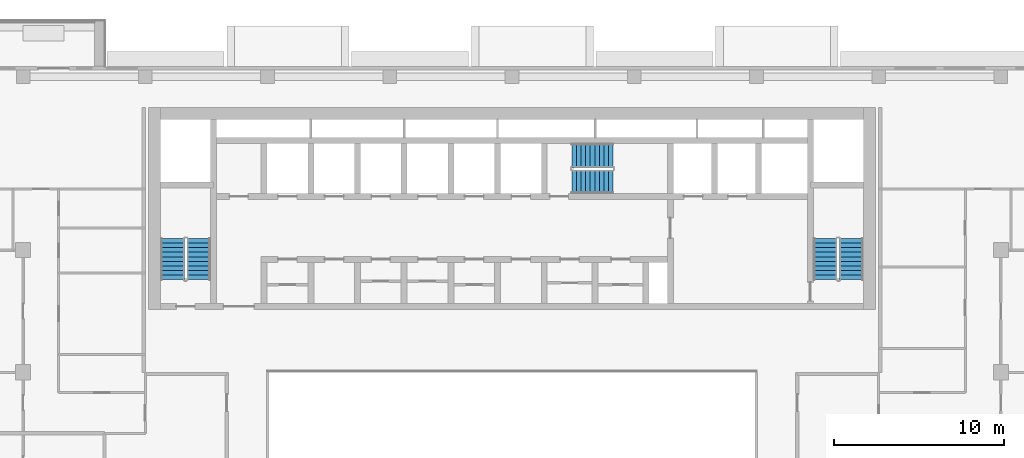
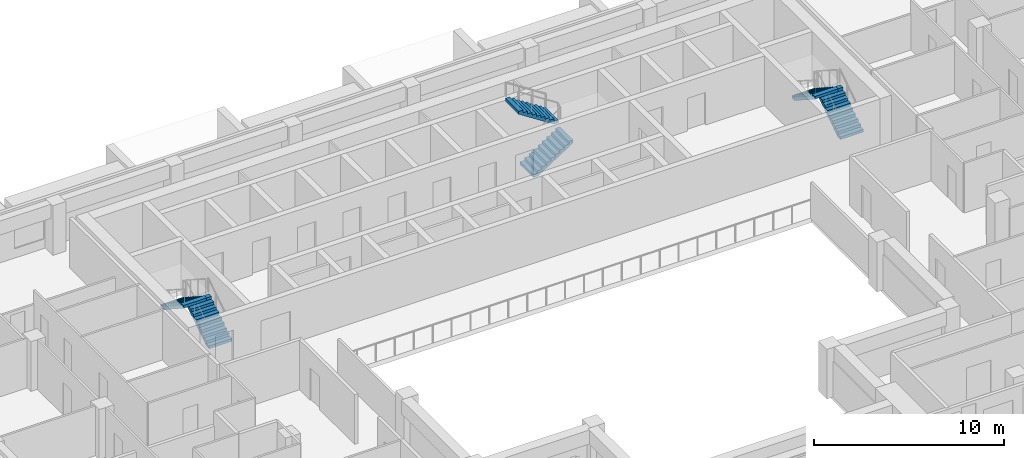
# One storey, part 13 of 20: 6 stair flights, 3 elements without a shape of their own.
"""IFC4 building model written with IfcOpenShell, lengths in metres."""

from ifc_helpers import new_model, si_unit, direction, frame, origin, place, context, subcontext, project, spatial, polyline, outline, extrude, material, layer, layer_set, type_object, element, aggregate, save


model = new_model("IFC4")

# Units and contexts
model_context = context("Model", 3, precision=1e-05, world=origin(), true_north=direction((0.0, 1.0)))
body_context = subcontext(model_context, "Body", "Model", "MODEL_VIEW")
ifc_project = project(units=[si_unit("LENGTHUNIT", "METRE"), si_unit("AREAUNIT", "SQUARE_METRE"), si_unit("VOLUMEUNIT", "CUBIC_METRE"), si_unit("PLANEANGLEUNIT", "RADIAN"), si_unit("MASSUNIT", "GRAM", prefix="KILO")], contexts=[model_context])

# Site, building, storey
site_placement = place(None, origin())
site = spatial("IfcSite", under=ifc_project, at=site_placement, CompositionType="ELEMENT")
building_placement = place(site_placement, origin())
building = spatial("IfcBuilding", under=site, at=building_placement, Name="Saffron Iwan Residences", CompositionType="ELEMENT")
storey_placement = place(building_placement, frame((0.0, 0.0, 174.5)))
storey = spatial("IfcBuildingStorey", under=building, at=storey_placement, Name="L46", CompositionType="ELEMENT", Elevation=174.5)

# Stair, stair flights
ifc_material = material(Name="Concrete C50/60", Category="concrete")
stair_type = type_object("IfcStairType", Name="Stair ST-CORE", PredefinedType="HALF_TURN_STAIR", material=ifc_material)
stair_1_placement = place(storey_placement, origin())
stair_1 = element("IfcStair", 1, at=stair_1_placement, inside=storey, type_object=stair_type, Name="L46 Exit Stair ST-W", PredefinedType="HALF_TURN_STAIR")
ifc_layer = layer(ifc_material, 0.14990234375)
ifc_layer_set = layer_set([ifc_layer], Name="Concrete C50/60")
stair_flight_type = type_object("IfcStairFlightType", Name="Stair flight SFL-RC", PredefinedType="STRAIGHT", material=ifc_layer_set)
stair_flight_1_placement = place(storey_placement, frame((31.949951171875, 67.85009765625, 0.0), z_axis=(0.0, 0.0, 1.0), x_axis=(0.0, 1.0, 0.0)))
stair_flight_1 = element("IfcStairFlight", 2, at=stair_flight_1_placement, type_object=stair_flight_type, Name="ST-W flight 1", NumberOfRisers=10, NumberOfTreads=9, PredefinedType="STRAIGHT", RiserHeight=0.175, TreadLength=0.27, context=body_context, shape_type="SweptSolid", body=[
    extrude(outline(polyline([(0.0, 0.0), (0.0, 0.175048828125), (0.27001953125, 0.175048828125), (0.27001953125, 0.35009765625), (0.5400390625, 0.35009765625), (0.5400390625, 0.52490234375), (0.81005859375, 0.52490234375), (0.81005859375, 0.699951171875), (1.080078125, 0.699951171875), (1.080078125, 0.875), (1.35009765625, 0.875), (1.35009765625, 1.050048828125), (1.6201171875, 1.050048828125), (1.6201171875, 1.22509765625), (1.889892578125, 1.22509765625), (1.889892578125, 1.39990234375), (2.159912109375, 1.39990234375), (2.159912109375, 1.574951171875), (2.429931640625, 1.574951171875), (2.429931640625, 1.75), (2.429931640625, 1.396484375), (0.275634765625, 0.0), (0.0, 0.0)])), frame((0.0, 0.699951171875, 0.0), z_axis=(0.0, -1.0, 0.0), x_axis=(1.0, 0.0, 0.0)), (0.0, 0.0, 1.0), 1.39990234375),
])
stair_flight_2_placement = place(storey_placement, frame((30.39990234375, 70.280029296875, 1.75), z_axis=(0.0, 0.0, 1.0), x_axis=(0.0, -1.0, 0.0)))
stair_flight_2 = element("IfcStairFlight", 3, at=stair_flight_2_placement, type_object=stair_flight_type, Name="ST-W flight 2", NumberOfRisers=10, NumberOfTreads=9, PredefinedType="STRAIGHT", RiserHeight=0.175, TreadLength=0.27, context=body_context, shape_type="SweptSolid", body=[
    extrude(outline(polyline([(0.0, 0.0), (0.0, 0.175048828125), (0.27001953125, 0.175048828125), (0.27001953125, 0.35009765625), (0.5400390625, 0.35009765625), (0.5400390625, 0.52490234375), (0.81005859375, 0.52490234375), (0.81005859375, 0.699951171875), (1.080078125, 0.699951171875), (1.080078125, 0.875), (1.35009765625, 0.875), (1.35009765625, 1.050048828125), (1.6201171875, 1.050048828125), (1.6201171875, 1.22509765625), (1.889892578125, 1.22509765625), (1.889892578125, 1.39990234375), (2.159912109375, 1.39990234375), (2.159912109375, 1.574951171875), (2.429931640625, 1.574951171875), (2.429931640625, 1.75), (2.429931640625, 1.396484375), (0.275634765625, 0.0), (0.0, 0.0)])), frame((0.0, 0.699951171875, 0.0), z_axis=(0.0, -1.0, 0.0), x_axis=(1.0, 0.0, 0.0)), (0.0, 0.0, 1.0), 1.39990234375),
])
aggregate(stair_1, [stair_flight_1, stair_flight_2])

stair_2_placement = place(storey_placement, origin())
stair_2 = element("IfcStair", 4, at=stair_2_placement, inside=storey, type_object=stair_type, Name="L46 Exit Stair ST-C", PredefinedType="HALF_TURN_STAIR")
stair_flight_3_placement = place(storey_placement, frame((53.925048828125, 73.625, 0.0), z_axis=(0.0, 0.0, 1.0), x_axis=(1.0, 0.0, 0.0)))
stair_flight_3 = element("IfcStairFlight", 5, at=stair_flight_3_placement, type_object=stair_flight_type, Name="ST-C flight 1", NumberOfRisers=10, NumberOfTreads=9, PredefinedType="STRAIGHT", RiserHeight=0.175, TreadLength=0.27, context=body_context, shape_type="SweptSolid", body=[
    extrude(outline(polyline([(0.0, 0.0), (0.0, 0.175048828125), (0.27001953125, 0.175048828125), (0.27001953125, 0.35009765625), (0.5400390625, 0.35009765625), (0.5400390625, 0.52490234375), (0.81005859375, 0.52490234375), (0.81005859375, 0.699951171875), (1.080078125, 0.699951171875), (1.080078125, 0.875), (1.35009765625, 0.875), (1.35009765625, 1.050048828125), (1.6201171875, 1.050048828125), (1.6201171875, 1.22509765625), (1.889892578125, 1.22509765625), (1.889892578125, 1.39990234375), (2.159912109375, 1.39990234375), (2.159912109375, 1.574951171875), (2.429931640625, 1.574951171875), (2.429931640625, 1.75), (2.429931640625, 1.396484375), (0.275634765625, 0.0), (0.0, 0.0)])), frame((0.0, 0.699951171875, 0.0), z_axis=(0.0, -1.0, 0.0), x_axis=(1.0, 0.0, 0.0)), (0.0, 0.0, 1.0), 1.39990234375),
])
stair_flight_4_placement = place(storey_placement, frame((56.35498046875, 75.175048828125, 1.75), z_axis=(0.0, 0.0, 1.0), x_axis=(-1.0, 0.0, 0.0)))
stair_flight_4 = element("IfcStairFlight", 6, at=stair_flight_4_placement, type_object=stair_flight_type, Name="ST-C flight 2", NumberOfRisers=10, NumberOfTreads=9, PredefinedType="STRAIGHT", RiserHeight=0.175, TreadLength=0.27, context=body_context, shape_type="SweptSolid", body=[
    extrude(outline(polyline([(0.0, 0.0), (0.0, 0.175048828125), (0.27001953125, 0.175048828125), (0.27001953125, 0.35009765625), (0.5400390625, 0.35009765625), (0.5400390625, 0.52490234375), (0.81005859375, 0.52490234375), (0.81005859375, 0.699951171875), (1.080078125, 0.699951171875), (1.080078125, 0.875), (1.35009765625, 0.875), (1.35009765625, 1.050048828125), (1.6201171875, 1.050048828125), (1.6201171875, 1.22509765625), (1.889892578125, 1.22509765625), (1.889892578125, 1.39990234375), (2.159912109375, 1.39990234375), (2.159912109375, 1.574951171875), (2.429931640625, 1.574951171875), (2.429931640625, 1.75), (2.429931640625, 1.396484375), (0.275634765625, 0.0), (0.0, 0.0)])), frame((0.0, 0.699951171875, 0.0), z_axis=(0.0, -1.0, 0.0), x_axis=(1.0, 0.0, 0.0)), (0.0, 0.0, 1.0), 1.39990234375),
])
aggregate(stair_2, [stair_flight_3, stair_flight_4])

stair_3_placement = place(storey_placement, origin())
stair_3 = element("IfcStair", 7, at=stair_3_placement, inside=storey, type_object=stair_type, Name="L46 Exit Stair ST-E", PredefinedType="HALF_TURN_STAIR")
stair_flight_5_placement = place(storey_placement, frame((70.39990234375, 67.85009765625, 0.0), z_axis=(0.0, 0.0, 1.0), x_axis=(0.0, 1.0, 0.0)))
stair_flight_5 = element("IfcStairFlight", 8, at=stair_flight_5_placement, type_object=stair_flight_type, Name="ST-E flight 1", NumberOfRisers=10, NumberOfTreads=9, PredefinedType="STRAIGHT", RiserHeight=0.175, TreadLength=0.27, context=body_context, shape_type="SweptSolid", body=[
    extrude(outline(polyline([(0.0, 0.0), (0.0, 0.175048828125), (0.27001953125, 0.175048828125), (0.27001953125, 0.35009765625), (0.5400390625, 0.35009765625), (0.5400390625, 0.52490234375), (0.81005859375, 0.52490234375), (0.81005859375, 0.699951171875), (1.080078125, 0.699951171875), (1.080078125, 0.875), (1.35009765625, 0.875), (1.35009765625, 1.050048828125), (1.6201171875, 1.050048828125), (1.6201171875, 1.22509765625), (1.889892578125, 1.22509765625), (1.889892578125, 1.39990234375), (2.159912109375, 1.39990234375), (2.159912109375, 1.574951171875), (2.429931640625, 1.574951171875), (2.429931640625, 1.75), (2.429931640625, 1.396484375), (0.275634765625, 0.0), (0.0, 0.0)])), frame((0.0, 0.699951171875, 0.0), z_axis=(0.0, -1.0, 0.0), x_axis=(1.0, 0.0, 0.0)), (0.0, 0.0, 1.0), 1.39990234375),
])
stair_flight_6_placement = place(storey_placement, frame((68.85009765625, 70.280029296875, 1.75), z_axis=(0.0, 0.0, 1.0), x_axis=(0.0, -1.0, 0.0)))
stair_flight_6 = element("IfcStairFlight", 9, at=stair_flight_6_placement, type_object=stair_flight_type, Name="ST-E flight 2", NumberOfRisers=10, NumberOfTreads=9, PredefinedType="STRAIGHT", RiserHeight=0.175, TreadLength=0.27, context=body_context, shape_type="SweptSolid", body=[
    extrude(outline(polyline([(0.0, 0.0), (0.0, 0.175048828125), (0.27001953125, 0.175048828125), (0.27001953125, 0.35009765625), (0.5400390625, 0.35009765625), (0.5400390625, 0.52490234375), (0.81005859375, 0.52490234375), (0.81005859375, 0.699951171875), (1.080078125, 0.699951171875), (1.080078125, 0.875), (1.35009765625, 0.875), (1.35009765625, 1.050048828125), (1.6201171875, 1.050048828125), (1.6201171875, 1.22509765625), (1.889892578125, 1.22509765625), (1.889892578125, 1.39990234375), (2.159912109375, 1.39990234375), (2.159912109375, 1.574951171875), (2.429931640625, 1.574951171875), (2.429931640625, 1.75), (2.429931640625, 1.396484375), (0.275634765625, 0.0), (0.0, 0.0)])), frame((0.0, 0.699951171875, 0.0), z_axis=(0.0, -1.0, 0.0), x_axis=(1.0, 0.0, 0.0)), (0.0, 0.0, 1.0), 1.39990234375),
])
aggregate(stair_3, [stair_flight_5, stair_flight_6])

save(model, "model.ifc")
